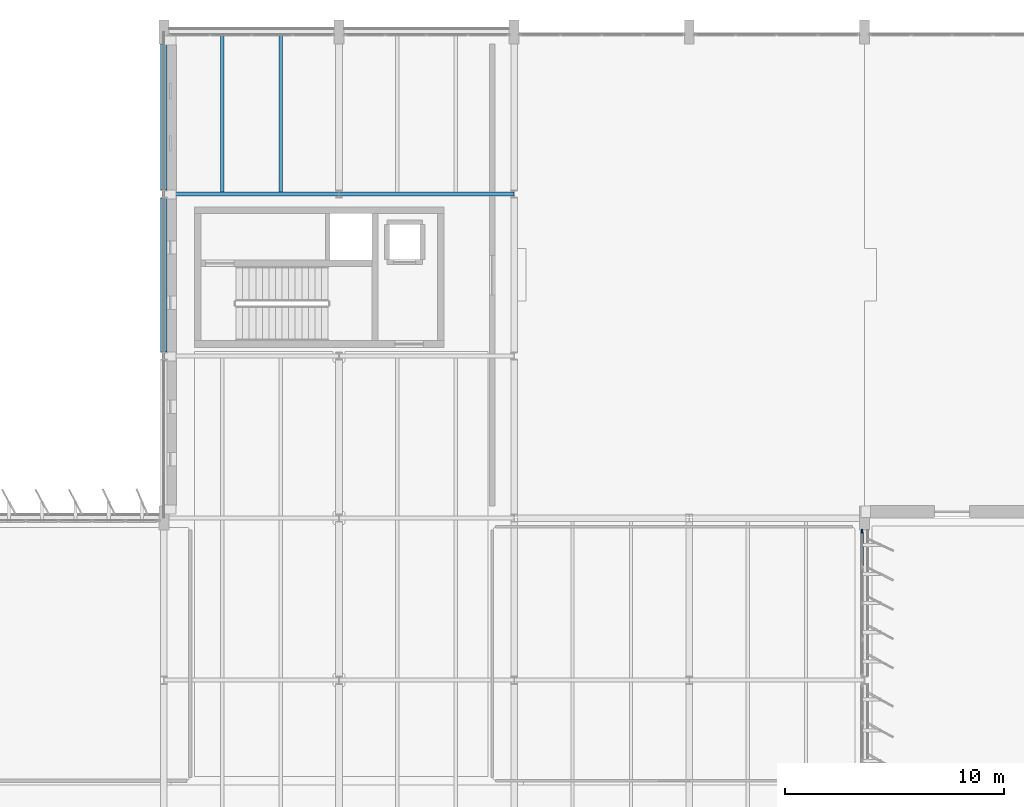
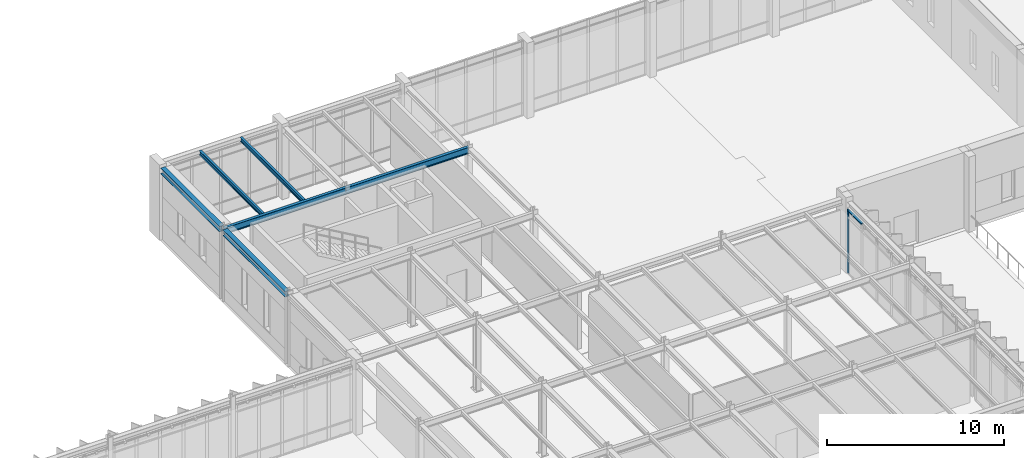
# One storey, part 21 of 48: 6 beams, 2 members, 1 element without a shape of its own.
"""IFC4 building model written with IfcOpenShell, lengths in metres."""

from ifc_helpers import new_model, si_unit, direction, frame, origin, origin_2d, place, context, subcontext, project, spatial, rectangle, i_section, extrude, material, layer, layer_set, material_profile, profile_set, type_object, element, aggregate, save


model = new_model("IFC4")

# Units and contexts
model_context = context("Model", 3, precision=1e-05, world=origin(), true_north=direction((0.0, 1.0)))
body_context = subcontext(model_context, "Body", "Model", "MODEL_VIEW")
ifc_project = project(units=[si_unit("LENGTHUNIT", "METRE"), si_unit("AREAUNIT", "SQUARE_METRE"), si_unit("VOLUMEUNIT", "CUBIC_METRE"), si_unit("PLANEANGLEUNIT", "RADIAN"), si_unit("MASSUNIT", "GRAM", prefix="KILO")], contexts=[model_context])

# Site, building, storey
site_placement = place(None, origin())
site = spatial("IfcSite", under=ifc_project, at=site_placement, CompositionType="ELEMENT")
building_placement = place(site_placement, origin())
building = spatial("IfcBuilding", under=site, at=building_placement, Name="Valkorina Park Police Headquarters", CompositionType="ELEMENT")
storey_placement = place(building_placement, frame((0.0, 0.0, 18.10009765625)))
storey = spatial("IfcBuildingStorey", under=building, at=storey_placement, Name="L05", CompositionType="ELEMENT", Elevation=18.10009765625)

# Beams
ifc_material_1 = material(Name="Steel S355", Category="steel")
ifc_material_profile_1 = material_profile(ifc_material_1, i_section(OverallWidth=0.300048828125, OverallDepth=0.389892578125, WebThickness=0.010986328125, FlangeThickness=0.01904296875, FilletRadius=0.027099609375, at=origin_2d()), Name="HEA 400")
ifc_profile_set_1 = profile_set([ifc_material_profile_1], Name="Steel S355")
beam_type_1 = type_object("IfcBeamType", Name="BM-S355-HEA400-SPN", PredefinedType="SPANDREL", material=ifc_profile_set_1)
beam_1_placement = place(storey_placement, frame((80.800048828125, 66.780029296875, 4.784912109375), z_axis=(0.0, 1.0, 0.0), x_axis=(-1.0, 0.0, 0.0)))
element("IfcBeam", 1, at=beam_1_placement, inside=storey, type_object=beam_type_1, Name="L05 Framing Beam 2559", PredefinedType="SPANDREL", context=body_context, shape_type="SweptSolid", body=[
    extrude(i_section(OverallWidth=0.300048828125, OverallDepth=0.389892578125, WebThickness=0.010986328125, FlangeThickness=0.01904296875, FilletRadius=0.027099609375, at=origin_2d()), origin(), (0.0, 0.0, 1.0), 7.0400390625),
])
beam_2_placement = place(storey_placement, frame((80.800048828125, 74.179931640625, 4.784912109375), z_axis=(0.0, 1.0, 0.0), x_axis=(-1.0, 0.0, 0.0)))
element("IfcBeam", 2, at=beam_2_placement, inside=storey, type_object=beam_type_1, Name="L05 Framing Beam 2560", PredefinedType="SPANDREL", context=body_context, shape_type="SweptSolid", body=[
    extrude(i_section(OverallWidth=0.300048828125, OverallDepth=0.389892578125, WebThickness=0.010986328125, FlangeThickness=0.01904296875, FilletRadius=0.027099609375, at=origin_2d()), origin(), (0.0, 0.0, 1.0), 6.670166015625),
])
ifc_material_profile_2 = material_profile(ifc_material_1, i_section(OverallWidth=0.14990234375, OverallDepth=0.300048828125, WebThickness=0.007080078125, FlangeThickness=0.0107421875, FilletRadius=0.014892578125, at=origin_2d()), Name="IPE 300")
ifc_profile_set_2 = profile_set([ifc_material_profile_2], Name="Steel S355")
beam_type_2 = type_object("IfcBeamType", Name="BM-S355-IPE300-JST", PredefinedType="JOIST", material=ifc_profile_set_2)
for number, where, z_axis, x_axis, name in (
    (3, (83.466796875, 74.094970703125, 4.829833984375), (0.0, 1.0, 0.0), (-1.0, 0.0, 0.0), "L05 Framing Beam 2561"),
    (4, (86.13330078125, 74.094970703125, 4.829833984375), (0.0, 1.0, 0.0), (-1.0, 0.0, 0.0), "L05 Framing Beam 2562"),
):
    element("IfcBeam", number, at=place(storey_placement, frame(where, z_axis=z_axis, x_axis=x_axis)), inside=storey, type_object=beam_type_2, Name=name, PredefinedType="JOIST", context=body_context, shape_type="SweptSolid", body=[
        extrude(i_section(OverallWidth=0.14990234375, OverallDepth=0.300048828125, WebThickness=0.007080078125, FlangeThickness=0.0107421875, FilletRadius=0.014892578125, at=origin_2d()), origin(), (0.0, 0.0, 1.0), 7.155029296875),
    ])
ifc_material_profile_3 = material_profile(ifc_material_1, i_section(OverallWidth=0.18994140625, OverallDepth=0.449951171875, WebThickness=0.009521484375, FlangeThickness=0.0146484375, FilletRadius=0.02099609375, at=origin_2d()), Name="IPE 450")
ifc_profile_set_3 = profile_set([ifc_material_profile_3], Name="Steel S355")
beam_type_3 = type_object("IfcBeamType", Name="BM-S355-IPE450-BM", PredefinedType="BEAM", material=ifc_profile_set_3)
for number, where, z_axis, x_axis, name in (
    (5, (80.806396484375, 74.0, 4.7548828125), (1.0, 0.0, 0.0), (0.0, 1.0, 0.0), "L05 Framing Beam 2503"),
    (6, (88.806396484375, 74.0, 4.7548828125), (1.0, 0.0, 0.0), (0.0, 1.0, 0.0), "L05 Framing Beam 2504"),
):
    element("IfcBeam", number, at=place(storey_placement, frame(where, z_axis=z_axis, x_axis=x_axis)), inside=storey, type_object=beam_type_3, Name=name, PredefinedType="BEAM", context=body_context, shape_type="SweptSolid", body=[
        extrude(i_section(OverallWidth=0.18994140625, OverallDepth=0.449951171875, WebThickness=0.009521484375, FlangeThickness=0.0146484375, FilletRadius=0.02099609375, at=origin_2d()), origin(), (0.0, 0.0, 1.0), 7.9873046875),
    ])

# Curtain wall, members
ifc_material_2 = material(Name="Thermally broken aluminium AW-6060", Category="aluminium")
ifc_layer = layer(ifc_material_2, 0.18994140625)
ifc_layer_set = layer_set([ifc_layer], Name="Thermally broken aluminium AW-6060")
curtain_wall_type = type_object("IfcCurtainWallType", Name="CW-V5-6650x4410", PredefinedType="NOTDEFINED", material=ifc_layer_set)
curtain_wall_placement = place(storey_placement, origin())
curtain_wall = element("IfcCurtainWall", 7, at=curtain_wall_placement, inside=storey, type_object=curtain_wall_type, Name="L05 Unitised Curtain Wall 094", PredefinedType="NOTDEFINED")
ifc_material_profile_4 = material_profile(ifc_material_2, rectangle(XDim=0.070068359375, YDim=0.18994140625, at=origin_2d()), Name="CWM-02 70x190")
ifc_profile_set_4 = profile_set([ifc_material_profile_4], Name="Thermally broken aluminium AW-6060")
member_type_1 = type_object("IfcMemberType", Name="CWM-70x190", PredefinedType="MULLION", material=ifc_profile_set_4)
member_1_placement = place(storey_placement, frame((112.679931640625, 58.60498046875, 0.0), z_axis=(0.0, 0.0, 1.0), x_axis=(1.0, 0.0, 0.0)))
member_1 = element("IfcMember", 8, at=member_1_placement, type_object=member_type_1, Name="CW-V5-665-441 mullion 1", PredefinedType="MULLION", context=body_context, shape_type="SweptSolid", body=[
    extrude(rectangle(XDim=0.070068359375, YDim=0.18994140625, at=origin_2d()), origin(), (0.0, 0.0, 1.0), 4.409912109375),
])
ifc_material_profile_5 = material_profile(ifc_material_2, rectangle(XDim=0.14990234375, YDim=0.070068359375, at=origin_2d()), Name="CWT-02 150x70")
ifc_profile_set_5 = profile_set([ifc_material_profile_5], Name="Thermally broken aluminium AW-6060")
member_type_2 = type_object("IfcMemberType", Name="CWT-150x70", PredefinedType="USERDEFINED", material=ifc_profile_set_5)
member_2_placement = place(storey_placement, frame((112.679931640625, 58.570068359375, 4.375), z_axis=(0.0, -1.0, 0.0), x_axis=(1.0, 0.0, 0.0)))
member_2 = element("IfcMember", 9, at=member_2_placement, type_object=member_type_2, Name="CW-V5-665-441 transom 1.4", ObjectType="TRANSOM", PredefinedType="USERDEFINED", context=body_context, shape_type="SweptSolid", body=[
    extrude(rectangle(XDim=0.14990234375, YDim=0.070068359375, at=origin_2d()), origin(), (0.0, 0.0, 1.0), 1.5576171875),
])
aggregate(curtain_wall, [member_1, member_2])

save(model, "model.ifc")
